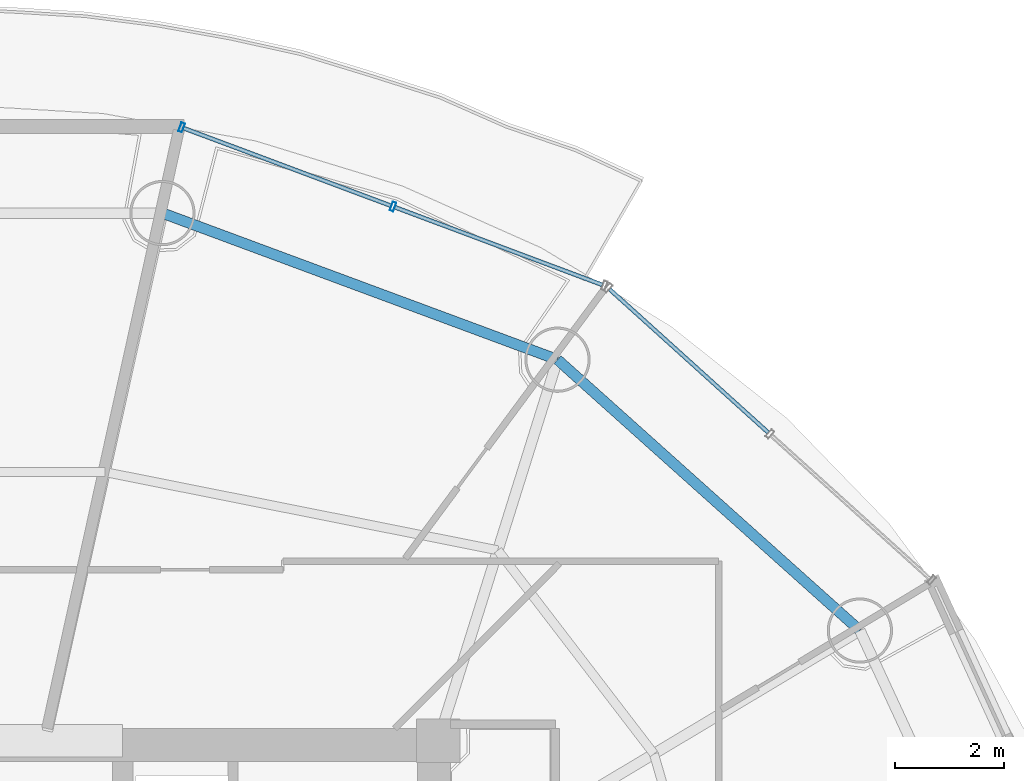
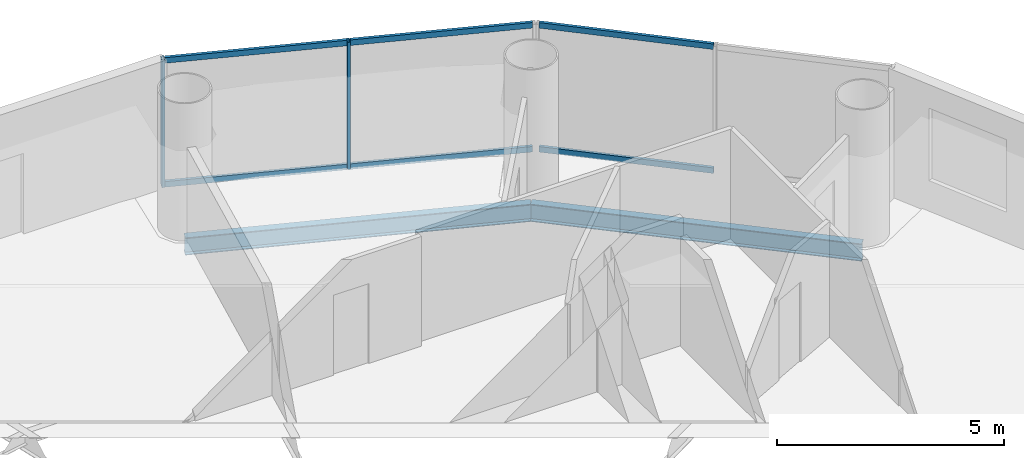
# One storey, part 17 of 26: 8 members, 2 beams, 2 elements without a shape of their own.
"""IFC4 building model written with IfcOpenShell, lengths in metres."""

from ifc_helpers import new_model, si_unit, direction, frame, origin, origin_2d, place, context, subcontext, project, spatial, hollow_rectangle, i_section, extrude, source, transform, mapped, material, material_profile, profile_set, type_object, element, aggregate, save


model = new_model("IFC4")

# Units and contexts
model_context = context("Model", 3, precision=1e-05, world=origin(), true_north=direction((-0.2419218956, 0.970295726276)))
body_context = subcontext(model_context, "Body", "Model", "MODEL_VIEW")
ifc_project = project(units=[si_unit("LENGTHUNIT", "METRE"), si_unit("AREAUNIT", "SQUARE_METRE"), si_unit("VOLUMEUNIT", "CUBIC_METRE"), si_unit("PLANEANGLEUNIT", "RADIAN"), si_unit("MASSUNIT", "GRAM", prefix="KILO")], contexts=[model_context])

# Site, building, storey
site_placement = place(None, origin())
site = spatial("IfcSite", under=ifc_project, at=site_placement, CompositionType="ELEMENT")
building_placement = place(site_placement, origin())
building = spatial("IfcBuilding", under=site, at=building_placement, Name="Cobrevalo Terracotta Tower", CompositionType="ELEMENT")
storey_placement = place(building_placement, frame((0.0, 0.0, 235.60009765625)))
storey = spatial("IfcBuildingStorey", under=building, at=storey_placement, Name="L62", CompositionType="ELEMENT", Elevation=235.60009765625)

# Beams
ifc_material_1 = material(Name="Steel S355", Category="steel")
ifc_material_profile_1 = material_profile(ifc_material_1, i_section(OverallWidth=0.194091796875, OverallDepth=0.468994140625, WebThickness=0.011474609375, FlangeThickness=0.0205078125, at=origin_2d()), Name="W 460x106")
ifc_profile_set_1 = profile_set([ifc_material_profile_1], Name="Steel S355")
beam_type = type_object("IfcBeamType", Name="Structural Spandrel W 460x106 (Steel S355)", PredefinedType="SPANDREL", material=ifc_profile_set_1)
beam_1_placement = place(storey_placement, frame((54.754150390625, 36.828125, -0.49951171875), z_axis=(-0.744851930997, 0.667229796165, 0.0), x_axis=(-0.667229796165, -0.744851930997, 0.0)))
element("IfcBeam", 1, at=beam_1_placement, inside=storey, type_object=beam_type, Name="L62 perimeter ring spandrel 02", PredefinedType="SPANDREL", context=body_context, shape_type="SweptSolid", body=[
    extrude(i_section(OverallWidth=0.194091796875, OverallDepth=0.468994140625, WebThickness=0.011474609375, FlangeThickness=0.0205078125, at=origin_2d()), origin(), (0.0, 0.0, 1.0), 7.463623046875),
])
beam_2_placement = place(storey_placement, frame((49.19482421875, 41.80810546875, -0.49951171875), z_axis=(-0.937545996665, 0.347861328892, 0.0), x_axis=(-0.347861328892, -0.937545996665, 0.0)))
element("IfcBeam", 2, at=beam_2_placement, inside=storey, type_object=beam_type, Name="L62 perimeter ring spandrel 03", PredefinedType="SPANDREL", context=body_context, shape_type="SweptSolid", body=[
    extrude(i_section(OverallWidth=0.194091796875, OverallDepth=0.468994140625, WebThickness=0.011474609375, FlangeThickness=0.0205078125, at=origin_2d()), origin(), (0.0, 0.0, 1.0), 7.74755859375),
])

# Curtain wall, members
ifc_material_2 = material(Name="Anodized aluminium", Category="aluminium")
curtain_wall_type = type_object("IfcCurtainWallType", Name="Mid-tower high-wind unitised curtain wall CW-U2", PredefinedType="NOTDEFINED", material=ifc_material_2)
curtain_wall_1_placement = place(storey_placement, origin())
curtain_wall_1 = element("IfcCurtainWall", 3, at=curtain_wall_1_placement, inside=storey, type_object=curtain_wall_type, Name="L62 curtain wall CW-L62-S02", PredefinedType="NOTDEFINED")
ifc_material_profile_2 = material_profile(ifc_material_2, hollow_rectangle(XDim=0.074951171875, YDim=0.14990234375, WallThickness=0.00439453125, at=origin_2d()), Name="CWT 75x150")
ifc_profile_set_2 = profile_set([ifc_material_profile_2], Name="Anodized aluminium")
member_type_1 = type_object("IfcMemberType", Name="Tower unitised aluminium transom 75x150", PredefinedType="USERDEFINED", material=ifc_profile_set_2)
shared_shape_1 = source(origin(), body_context, "Body", "SweptSolid", [
    extrude(hollow_rectangle(XDim=0.074951171875, YDim=0.14990234375, WallThickness=0.00439453125, at=origin_2d()), origin(), (0.0, 0.0, 1.0), 3.927734375),
])
member_1_placement = place(storey_placement, frame((53.068359375, 40.46826171875, 0.0498046875), z_axis=(-0.742003891138, 0.670395573923, 0.0), x_axis=(-0.670395573923, -0.742003891138, 0.0)))
member_1 = element("IfcMember", 4, at=member_1_placement, type_object=member_type_1, Name="CW-L62-S02 transom B02-T1", ObjectType="TRANSOM", PredefinedType="USERDEFINED", context=body_context, shape_type="MappedRepresentation", body=[
    mapped(shared_shape_1, transform((0.0, 0.0, 0.0), scale=1.0)),
])
member_2_placement = place(storey_placement, frame((53.068359375, 40.46826171875, 3.385009765625), z_axis=(-0.742003891138, 0.670395573923, 0.0), x_axis=(-0.670395573923, -0.742003891138, 0.0)))
member_2 = element("IfcMember", 5, at=member_2_placement, type_object=member_type_1, Name="CW-L62-S02 transom B02-T2", ObjectType="TRANSOM", PredefinedType="USERDEFINED", context=body_context, shape_type="MappedRepresentation", body=[
    mapped(shared_shape_1, transform((0.0, 0.0, 0.0), scale=1.0)),
])
aggregate(curtain_wall_1, [member_1, member_2])

curtain_wall_2_placement = place(storey_placement, origin())
curtain_wall_2 = element("IfcCurtainWall", 6, at=curtain_wall_2_placement, inside=storey, type_object=curtain_wall_type, Name="L62 curtain wall CW-L62-S03", PredefinedType="NOTDEFINED")
shared_shape_2 = source(origin(), body_context, "Body", "SweptSolid", [
    extrude(hollow_rectangle(XDim=0.074951171875, YDim=0.14990234375, WallThickness=0.00439453125, at=origin_2d()), origin(), (0.0, 0.0, 1.0), 4.069580078125),
])
member_3_placement = place(storey_placement, frame((50.019775390625, 43.18310546875, 0.0498046875), z_axis=(-0.936548420649, 0.350538237259, 0.0), x_axis=(-0.350538237259, -0.936548420649, 0.0)))
member_3 = element("IfcMember", 7, at=member_3_placement, type_object=member_type_1, Name="CW-L62-S03 transom B01-T1", ObjectType="TRANSOM", PredefinedType="USERDEFINED", context=body_context, shape_type="MappedRepresentation", body=[
    mapped(shared_shape_2, transform((0.0, 0.0, 0.0), scale=1.0)),
])
member_4_placement = place(storey_placement, frame((50.019775390625, 43.18310546875, 3.385009765625), z_axis=(-0.936548420649, 0.350538237259, 0.0), x_axis=(-0.350538237259, -0.936548420649, 0.0)))
member_4 = element("IfcMember", 8, at=member_4_placement, type_object=member_type_1, Name="CW-L62-S03 transom B01-T2", ObjectType="TRANSOM", PredefinedType="USERDEFINED", context=body_context, shape_type="MappedRepresentation", body=[
    mapped(shared_shape_2, transform((0.0, 0.0, 0.0), scale=1.0)),
])
shared_shape_3 = source(origin(), body_context, "Body", "SweptSolid", [
    extrude(hollow_rectangle(XDim=0.074951171875, YDim=0.14990234375, WallThickness=0.00439453125, at=origin_2d()), origin(), (0.0, 0.0, 1.0), 4.06982421875),
])
member_5_placement = place(storey_placement, frame((46.133544921875, 44.637451171875, 0.0498046875), z_axis=(-0.936555791772, 0.350518542873, 0.0), x_axis=(-0.350518542873, -0.936555791772, 0.0)))
member_5 = element("IfcMember", 9, at=member_5_placement, type_object=member_type_1, Name="CW-L62-S03 transom B02-T1", ObjectType="TRANSOM", PredefinedType="USERDEFINED", context=body_context, shape_type="MappedRepresentation", body=[
    mapped(shared_shape_3, transform((0.0, 0.0, 0.0), scale=1.0)),
])
member_6_placement = place(storey_placement, frame((46.133544921875, 44.637451171875, 3.385009765625), z_axis=(-0.936555791772, 0.350518542873, 0.0), x_axis=(-0.350518542873, -0.936555791772, 0.0)))
member_6 = element("IfcMember", 10, at=member_6_placement, type_object=member_type_1, Name="CW-L62-S03 transom B02-T2", ObjectType="TRANSOM", PredefinedType="USERDEFINED", context=body_context, shape_type="MappedRepresentation", body=[
    mapped(shared_shape_3, transform((0.0, 0.0, 0.0), scale=1.0)),
])
ifc_material_profile_3 = material_profile(ifc_material_2, hollow_rectangle(XDim=0.070068359375, YDim=0.169921875, WallThickness=0.00439453125, at=origin_2d()), Name="CWM 70x170")
ifc_profile_set_3 = profile_set([ifc_material_profile_3], Name="Anodized aluminium")
member_type_2 = type_object("IfcMemberType", Name="Upper tower unitised mullion 70x170", PredefinedType="MULLION", material=ifc_profile_set_3)
shared_shape_4 = source(origin(), body_context, "Body", "SweptSolid", [
    extrude(hollow_rectangle(XDim=0.070068359375, YDim=0.169921875, WallThickness=0.00439453125, at=origin_2d()), origin(), (0.0, 0.0, 1.0), 3.434814453125),
])
member_7_placement = place(storey_placement, frame((46.1708984375, 44.62353515625, 0.0), z_axis=(0.0, 0.0, 1.0), x_axis=(-0.936556004584, 0.350517974259, 0.0)))
member_7 = element("IfcMember", 11, at=member_7_placement, type_object=member_type_2, Name="CW-L62-S03 vertical mullion 02", PredefinedType="MULLION", context=body_context, shape_type="MappedRepresentation", body=[
    mapped(shared_shape_4, transform((0.0, 0.0, 0.0), scale=1.0)),
])
member_8_placement = place(storey_placement, frame((42.28466796875, 46.078125, 0.0), z_axis=(0.0, 0.0, 1.0), x_axis=(-0.936556004584, 0.350517974259, 0.0)))
member_8 = element("IfcMember", 12, at=member_8_placement, type_object=member_type_2, Name="CW-L62-S03 vertical mullion 03", PredefinedType="MULLION", context=body_context, shape_type="MappedRepresentation", body=[
    mapped(shared_shape_4, transform((0.0, 0.0, 0.0), scale=1.0)),
])
aggregate(curtain_wall_2, [member_7, member_8, member_3, member_4, member_5, member_6])

save(model, "model.ifc")
